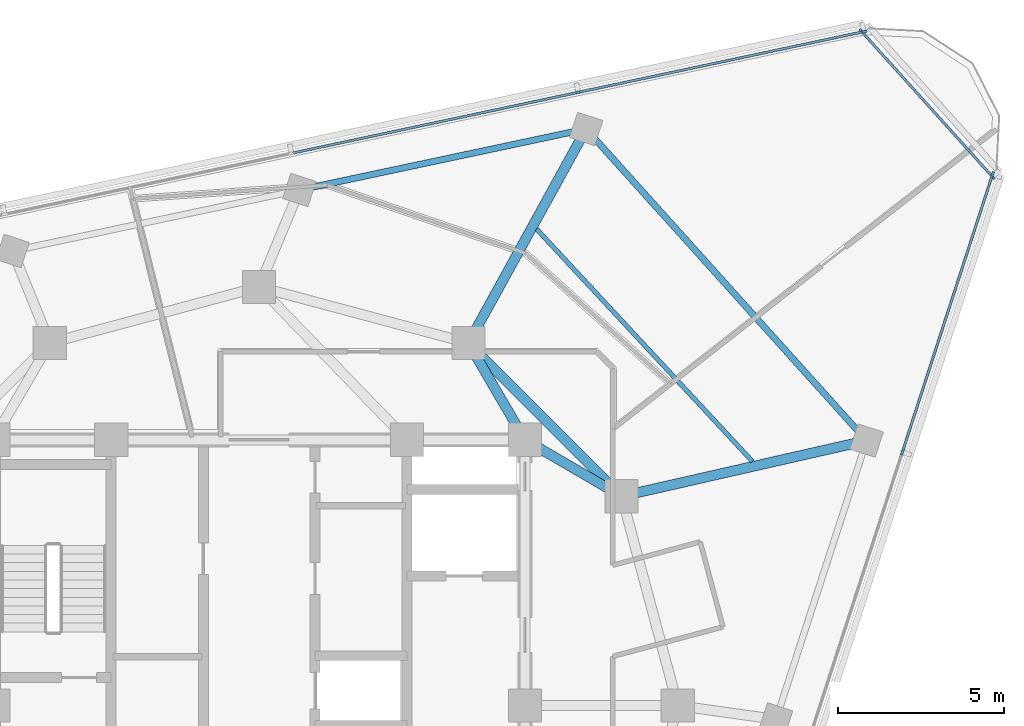
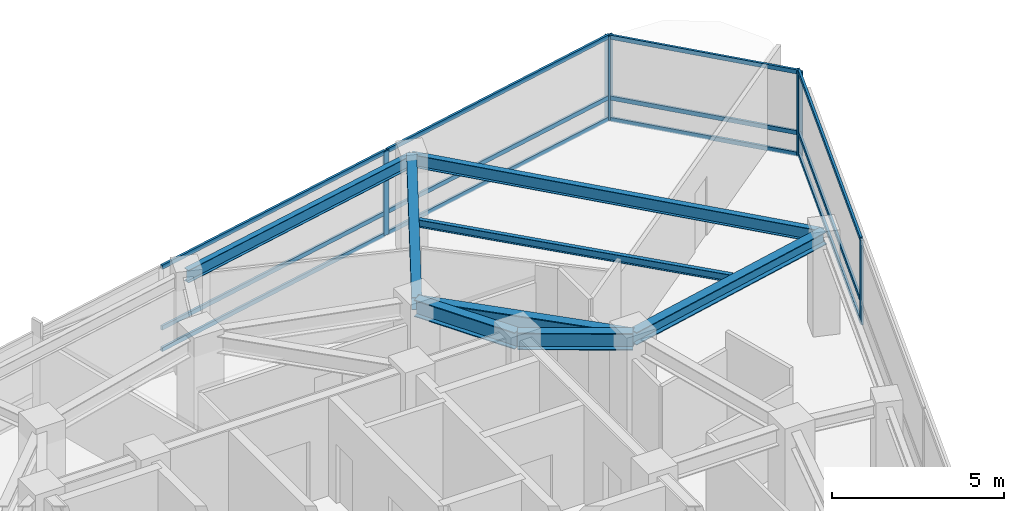
# One storey, part 6 of 15: 18 members, 8 beams, 3 elements without a shape of their own.
"""IFC4 building model written with IfcOpenShell, lengths in metres."""

from ifc_helpers import new_model, si_unit, direction, frame, origin, origin_2d, place, context, subcontext, project, spatial, rectangle, i_section, extrude, material, layer, layer_set, material_profile, profile_set, type_object, element, aggregate, save


model = new_model("IFC4")

# Units and contexts
model_context = context("Model", 3, precision=1e-05, world=origin(), true_north=direction((0.0, 1.0)))
body_context = subcontext(model_context, "Body", "Model", "MODEL_VIEW")
ifc_project = project(units=[si_unit("LENGTHUNIT", "METRE"), si_unit("AREAUNIT", "SQUARE_METRE"), si_unit("VOLUMEUNIT", "CUBIC_METRE"), si_unit("PLANEANGLEUNIT", "RADIAN"), si_unit("MASSUNIT", "GRAM", prefix="KILO")], contexts=[model_context])

# Site, building, storey
site_placement = place(None, origin())
site = spatial("IfcSite", under=ifc_project, at=site_placement, CompositionType="ELEMENT")
building_placement = place(site_placement, origin())
building = spatial("IfcBuilding", under=site, at=building_placement, Name="Terralouvre Media Tower", CompositionType="ELEMENT")
storey_placement = place(building_placement, frame((0.0, 0.0, 286.89990234375)))
storey = spatial("IfcBuildingStorey", under=building, at=storey_placement, Name="L74", CompositionType="ELEMENT", Elevation=286.89990234375)

# Beam
ifc_material_1 = material(Name="Structural steel S355J2", Category="steel")
ifc_material_profile_1 = material_profile(ifc_material_1, i_section(OverallWidth=0.135009765625, OverallDepth=0.27001953125, WebThickness=0.006591796875, FlangeThickness=0.01025390625, at=origin_2d()), Name="IPE 270")
ifc_profile_set_1 = profile_set([ifc_material_profile_1], Name="Structural steel S355J2")
beam_type_1 = type_object("IfcBeamType", Name="Composite Floor Joist J-IPE270 (IPE 270)", PredefinedType="JOIST", material=ifc_profile_set_1)
beam_1_placement = place(storey_placement, frame((14.85107421875, 7.34716796875, 3.364990234375), z_axis=(-0.680613949102, 0.732642240311, 0.0), x_axis=(-0.732642240311, -0.680613949102, 0.0)))
element("IfcBeam", 1, at=beam_1_placement, inside=storey, type_object=beam_type_1, Name="L74 Framing Beam JT-L74-04", PredefinedType="JOIST", context=body_context, shape_type="SweptSolid", body=[
    extrude(i_section(OverallWidth=0.135009765625, OverallDepth=0.27001953125, WebThickness=0.006591796875, FlangeThickness=0.01025390625, at=origin_2d()), origin(), (0.0, 0.0, 1.0), 9.54443359375),
])

# Curtain wall, members
ifc_material_2 = material(Name="Low-iron laminated double glazing with solar-control coating", Category="glass")
ifc_layer_1 = layer(ifc_material_2, 0.1650390625, Name="Faceted Glass-Point Crown Curtain Wall CW-06")
ifc_layer_set_1 = layer_set([ifc_layer_1], Name="Low-iron laminated double glazing with solar-control coating")
curtain_wall_type_1 = type_object("IfcCurtainWallType", Name="Faceted Glass-Point Crown Curtain Wall CW-06", PredefinedType="NOTDEFINED", material=ifc_layer_set_1)
curtain_wall_1_placement = place(storey_placement, origin())
curtain_wall_1 = element("IfcCurtainWall", 2, at=curtain_wall_1_placement, inside=storey, type_object=curtain_wall_type_1, Name="L74 Facade Curtain Wall F0", PredefinedType="NOTDEFINED")
ifc_material_3 = material(Name="Anodised extruded aluminium 6063-T6", Category="aluminium")
ifc_material_profile_2 = material_profile(ifc_material_3, rectangle(XDim=0.074951171875, YDim=0.14990234375, at=origin_2d()), Name="ALU 75x150")
ifc_profile_set_2 = profile_set([ifc_material_profile_2], Name="Anodised extruded aluminium 6063-T6")
member_type_1 = type_object("IfcMemberType", Name="Curtain-Wall Horizontal Transom TR-150", PredefinedType="USERDEFINED", material=ifc_profile_set_2)
member_1_placement = place(storey_placement, frame((19.372314453125, 7.662109375, 0.03759765625), z_axis=(0.309004958377, 0.951060426944, 0.0), x_axis=(-0.951060426944, 0.309004958377, 0.0)))
member_1 = element("IfcMember", 3, at=member_1_placement, type_object=member_type_1, Name="CW-06 transom 5.1", ObjectType="TRANSOM", PredefinedType="USERDEFINED", context=body_context, shape_type="SweptSolid", body=[
    extrude(rectangle(XDim=0.074951171875, YDim=0.14990234375, at=origin_2d()), origin(), (0.0, 0.0, 1.0), 8.71142578125),
])
member_2_placement = place(storey_placement, frame((19.372314453125, 7.662109375, 0.800048828125), z_axis=(0.309004958377, 0.951060426944, 0.0), x_axis=(-0.951060426944, 0.309004958377, 0.0)))
member_2 = element("IfcMember", 4, at=member_2_placement, type_object=member_type_1, Name="CW-06 transom 5.2", ObjectType="TRANSOM", PredefinedType="USERDEFINED", context=body_context, shape_type="SweptSolid", body=[
    extrude(rectangle(XDim=0.074951171875, YDim=0.14990234375, at=origin_2d()), origin(), (0.0, 0.0, 1.0), 8.71142578125),
])
member_3_placement = place(storey_placement, frame((19.372314453125, 7.662109375, 2.962646484375), z_axis=(0.309004958377, 0.951060426944, 0.0), x_axis=(-0.951060426944, 0.309004958377, 0.0)))
member_3 = element("IfcMember", 5, at=member_3_placement, type_object=member_type_1, Name="CW-06 transom 5.3", ObjectType="TRANSOM", PredefinedType="USERDEFINED", context=body_context, shape_type="SweptSolid", body=[
    extrude(rectangle(XDim=0.074951171875, YDim=0.14990234375, at=origin_2d()), origin(), (0.0, 0.0, 1.0), 8.71142578125),
])

curtain_wall_2_placement = place(storey_placement, origin())
curtain_wall_2 = element("IfcCurtainWall", 6, at=curtain_wall_2_placement, inside=storey, type_object=curtain_wall_type_1, Name="L74 Facade Curtain Wall F1", PredefinedType="NOTDEFINED")
member_4_placement = place(storey_placement, frame((18.166259765625, 20.2763671875, 0.03759765625), z_axis=(-0.978146812348, -0.207915399846, 0.0), x_axis=(0.207915399846, -0.978146812348, 0.0)))
member_4 = element("IfcMember", 7, at=member_4_placement, type_object=member_type_1, Name="CW-06 transom 1.1", ObjectType="TRANSOM", PredefinedType="USERDEFINED", context=body_context, shape_type="SweptSolid", body=[
    extrude(rectangle(XDim=0.074951171875, YDim=0.14990234375, at=origin_2d()), origin(), (0.0, 0.0, 1.0), 8.711669921875),
])
member_5_placement = place(storey_placement, frame((18.166259765625, 20.2763671875, 0.800048828125), z_axis=(-0.978146812348, -0.207915399846, 0.0), x_axis=(0.207915399846, -0.978146812348, 0.0)))
member_5 = element("IfcMember", 8, at=member_5_placement, type_object=member_type_1, Name="CW-06 transom 1.2", ObjectType="TRANSOM", PredefinedType="USERDEFINED", context=body_context, shape_type="SweptSolid", body=[
    extrude(rectangle(XDim=0.074951171875, YDim=0.14990234375, at=origin_2d()), origin(), (0.0, 0.0, 1.0), 8.711669921875),
])
member_6_placement = place(storey_placement, frame((18.166259765625, 20.2763671875, 2.962646484375), z_axis=(-0.978146812348, -0.207915399846, 0.0), x_axis=(0.207915399846, -0.978146812348, 0.0)))
member_6 = element("IfcMember", 9, at=member_6_placement, type_object=member_type_1, Name="CW-06 transom 1.3", ObjectType="TRANSOM", PredefinedType="USERDEFINED", context=body_context, shape_type="SweptSolid", body=[
    extrude(rectangle(XDim=0.074951171875, YDim=0.14990234375, at=origin_2d()), origin(), (0.0, 0.0, 1.0), 8.711669921875),
])
member_7_placement = place(storey_placement, frame((9.57177734375, 18.44970703125, 0.03759765625), z_axis=(-0.978146154485, -0.207918494767, 0.0), x_axis=(0.207918494767, -0.978146154485, 0.0)))
member_7 = element("IfcMember", 10, at=member_7_placement, type_object=member_type_1, Name="CW-06 transom 2.1", ObjectType="TRANSOM", PredefinedType="USERDEFINED", context=body_context, shape_type="SweptSolid", body=[
    extrude(rectangle(XDim=0.074951171875, YDim=0.14990234375, at=origin_2d()), origin(), (0.0, 0.0, 1.0), 8.7490234375),
])
member_8_placement = place(storey_placement, frame((9.57177734375, 18.44970703125, 0.800048828125), z_axis=(-0.978146154485, -0.207918494767, 0.0), x_axis=(0.207918494767, -0.978146154485, 0.0)))
member_8 = element("IfcMember", 11, at=member_8_placement, type_object=member_type_1, Name="CW-06 transom 2.2", ObjectType="TRANSOM", PredefinedType="USERDEFINED", context=body_context, shape_type="SweptSolid", body=[
    extrude(rectangle(XDim=0.074951171875, YDim=0.14990234375, at=origin_2d()), origin(), (0.0, 0.0, 1.0), 8.7490234375),
])
member_9_placement = place(storey_placement, frame((9.57177734375, 18.44970703125, 2.962646484375), z_axis=(-0.978146154485, -0.207918494767, 0.0), x_axis=(0.207918494767, -0.978146154485, 0.0)))
member_9 = element("IfcMember", 12, at=member_9_placement, type_object=member_type_1, Name="CW-06 transom 2.3", ObjectType="TRANSOM", PredefinedType="USERDEFINED", context=body_context, shape_type="SweptSolid", body=[
    extrude(rectangle(XDim=0.074951171875, YDim=0.14990234375, at=origin_2d()), origin(), (0.0, 0.0, 1.0), 8.7490234375),
])

ifc_material_4 = material(Name="Low-iron laminated double glazing with solar-control coating", Category="glass")
ifc_layer_2 = layer(ifc_material_4, 0.1650390625, Name="Rounded Wind-Corner Curved Glazing CW-04")
ifc_layer_set_2 = layer_set([ifc_layer_2], Name="Low-iron laminated double glazing with solar-control coating")
curtain_wall_type_2 = type_object("IfcCurtainWallType", Name="Rounded Wind-Corner Curved Glazing CW-04", PredefinedType="NOTDEFINED", material=ifc_layer_set_2)
curtain_wall_3_placement = place(storey_placement, origin())
curtain_wall_3 = element("IfcCurtainWall", 13, at=curtain_wall_3_placement, inside=storey, type_object=curtain_wall_type_2, Name="L74 Rounded Wind-Corner Curtain Wall C1", PredefinedType="NOTDEFINED")
member_10_placement = place(storey_placement, frame((22.04736328125, 15.943603515625, 0.03759765625), z_axis=(-0.669127275147, 0.743147824901, 0.0), x_axis=(-0.743147824901, -0.669127275147, 0.0)))
member_10 = element("IfcMember", 14, at=member_10_placement, type_object=member_type_1, Name="CW-04 transom 1.1", ObjectType="TRANSOM", PredefinedType="USERDEFINED", context=body_context, shape_type="SweptSolid", body=[
    extrude(rectangle(XDim=0.074951171875, YDim=0.14990234375, at=origin_2d()), origin(), (0.0, 0.0, 1.0), 5.808349609375),
])
member_11_placement = place(storey_placement, frame((22.04736328125, 15.943603515625, 0.800048828125), z_axis=(-0.669127275147, 0.743147824901, 0.0), x_axis=(-0.743147824901, -0.669127275147, 0.0)))
member_11 = element("IfcMember", 15, at=member_11_placement, type_object=member_type_1, Name="CW-04 transom 1.2", ObjectType="TRANSOM", PredefinedType="USERDEFINED", context=body_context, shape_type="SweptSolid", body=[
    extrude(rectangle(XDim=0.074951171875, YDim=0.14990234375, at=origin_2d()), origin(), (0.0, 0.0, 1.0), 5.808349609375),
])
member_12_placement = place(storey_placement, frame((22.04736328125, 15.943603515625, 2.962646484375), z_axis=(-0.669127275147, 0.743147824901, 0.0), x_axis=(-0.743147824901, -0.669127275147, 0.0)))
member_12 = element("IfcMember", 16, at=member_12_placement, type_object=member_type_1, Name="CW-04 transom 1.3", ObjectType="TRANSOM", PredefinedType="USERDEFINED", context=body_context, shape_type="SweptSolid", body=[
    extrude(rectangle(XDim=0.074951171875, YDim=0.14990234375, at=origin_2d()), origin(), (0.0, 0.0, 1.0), 5.808349609375),
])

# Member
ifc_material_5 = material(Name="Anodised extruded aluminium 6063-T6", Category="aluminium")
ifc_material_profile_3 = material_profile(ifc_material_5, rectangle(XDim=0.074951171875, YDim=0.179931640625, at=origin_2d()), Name="ALU 75x180")
ifc_profile_set_3 = profile_set([ifc_material_profile_3], Name="Anodised extruded aluminium 6063-T6")
member_type_2 = type_object("IfcMemberType", Name="Curtain-Wall Vertical Mullion ML-180", PredefinedType="MULLION", material=ifc_profile_set_3)
member_13_placement = place(storey_placement, frame((19.360595703125, 7.62646484375, 0.0), z_axis=(0.0, 0.0, 1.0), x_axis=(-0.951056507337, 0.309017021946, 0.0)))
member_13 = element("IfcMember", 17, at=member_13_placement, type_object=member_type_2, Name="CW-06 mullion 5", PredefinedType="MULLION", context=body_context, shape_type="SweptSolid", body=[
    extrude(rectangle(XDim=0.074951171875, YDim=0.179931640625, at=origin_2d()), origin(), (0.0, 0.0, 1.0), 3.0),
])

member_14_placement = place(storey_placement, frame((22.075927734375, 15.98291015625, 0.0), z_axis=(0.0, 0.0, 1.0), x_axis=(-0.951056507337, 0.309017021946, 0.0)))
member_14 = element("IfcMember", 18, at=member_14_placement, type_object=member_type_2, Name="CW-06 mullion 6", PredefinedType="MULLION", context=body_context, shape_type="SweptSolid", body=[
    extrude(rectangle(XDim=0.074951171875, YDim=0.179931640625, at=origin_2d()), origin(), (0.0, 0.0, 1.0), 3.0),
])

aggregate(curtain_wall_1, [member_13, member_14, member_1, member_2, member_3])

member_15_placement = place(storey_placement, frame((18.202880859375, 20.2841796875, 0.0), z_axis=(0.0, 0.0, 1.0), x_axis=(0.207911618313, -0.978147616145, 0.0)))
member_15 = element("IfcMember", 19, at=member_15_placement, type_object=member_type_2, Name="CW-06 mullion 1", PredefinedType="MULLION", context=body_context, shape_type="SweptSolid", body=[
    extrude(rectangle(XDim=0.074951171875, YDim=0.179931640625, at=origin_2d()), origin(), (0.0, 0.0, 1.0), 3.0),
])

member_16_placement = place(storey_placement, frame((9.6083984375, 18.45751953125, 0.0), z_axis=(0.0, 0.0, 1.0), x_axis=(0.207911618313, -0.978147616145, 0.0)))
member_16 = element("IfcMember", 20, at=member_16_placement, type_object=member_type_2, Name="CW-06 mullion 2", PredefinedType="MULLION", context=body_context, shape_type="SweptSolid", body=[
    extrude(rectangle(XDim=0.074951171875, YDim=0.179931640625, at=origin_2d()), origin(), (0.0, 0.0, 1.0), 3.0),
])

aggregate(curtain_wall_2, [member_15, member_16, member_4, member_5, member_6, member_7, member_8, member_9])

member_17_placement = place(storey_placement, frame((22.072509765625, 15.915771484375, 0.0), z_axis=(0.0, 0.0, 1.0), x_axis=(-0.743145163279, -0.669130231192, 0.0)))
member_17 = element("IfcMember", 21, at=member_17_placement, type_object=member_type_2, Name="CW-04 mullion 1", PredefinedType="MULLION", context=body_context, shape_type="SweptSolid", body=[
    extrude(rectangle(XDim=0.074951171875, YDim=0.179931640625, at=origin_2d()), origin(), (0.0, 0.0, 1.0), 3.0),
])

member_18_placement = place(storey_placement, frame((18.1357421875, 20.287841796875, 0.0), z_axis=(0.0, 0.0, 1.0), x_axis=(-0.743145163279, -0.669130231192, 0.0)))
member_18 = element("IfcMember", 22, at=member_18_placement, type_object=member_type_2, Name="CW-04 mullion 2", PredefinedType="MULLION", context=body_context, shape_type="SweptSolid", body=[
    extrude(rectangle(XDim=0.074951171875, YDim=0.179931640625, at=origin_2d()), origin(), (0.0, 0.0, 1.0), 3.0),
])

aggregate(curtain_wall_3, [member_17, member_18, member_10, member_11, member_12])

# Beams
ifc_material_6 = material(Name="Structural steel S355J2", Category="steel")
ifc_material_profile_4 = material_profile(ifc_material_6, i_section(OverallWidth=0.18994140625, OverallDepth=0.449951171875, WebThickness=0.009521484375, FlangeThickness=0.0146484375, at=origin_2d()), Name="IPE 450")
ifc_profile_set_4 = profile_set([ifc_material_profile_4], Name="Structural steel S355J2")
beam_type_2 = type_object("IfcBeamType", Name="Perimeter Spandrel Beam SPB-450 (IPE 450)", PredefinedType="SPANDREL", material=ifc_profile_set_4)
beam_2_placement = place(storey_placement, frame((18.285888671875, 7.975830078125, 3.275146484375), z_axis=(-0.669130421256, 0.743144992144, 0.0), x_axis=(-0.743144992144, -0.669130421256, 0.0)))
element("IfcBeam", 23, at=beam_2_placement, inside=storey, type_object=beam_type_2, Name="L74 Framing Beam BM-L74-PR08", PredefinedType="SPANDREL", context=body_context, shape_type="SweptSolid", body=[
    extrude(i_section(OverallWidth=0.18994140625, OverallDepth=0.449951171875, WebThickness=0.009521484375, FlangeThickness=0.0146484375, at=origin_2d()), origin(), (0.0, 0.0, 1.0), 12.616943359375),
])
beam_3_placement = place(storey_placement, frame((9.843505859375, 17.35205078125, 3.26513671875), z_axis=(-0.978151678083, -0.207892507471, 0.0), x_axis=(0.207892507471, -0.978151678083, 0.0)))
element("IfcBeam", 24, at=beam_3_placement, inside=storey, type_object=beam_type_2, Name="L74 Framing Beam BM-L74-PR09", PredefinedType="SPANDREL", context=body_context, shape_type="SweptSolid", body=[
    extrude(i_section(OverallWidth=0.18994140625, OverallDepth=0.449951171875, WebThickness=0.009521484375, FlangeThickness=0.0146484375, at=origin_2d()), origin(), (0.0, 0.0, 1.0), 8.82421875),
])
ifc_material_7 = material(Name="Structural steel S355J2", Category="steel")
ifc_material_profile_5 = material_profile(ifc_material_7, i_section(OverallWidth=0.300048828125, OverallDepth=0.449951171875, WebThickness=0.013916015625, FlangeThickness=0.02587890625, at=origin_2d()), Name="HEB 450")
ifc_profile_set_5 = profile_set([ifc_material_profile_5], Name="Structural steel S355J2")
beam_type_3 = type_object("IfcBeamType", Name="Primary Floor Girder B-HEB450 (HEB 450)", PredefinedType="BEAM", material=ifc_profile_set_5)
beam_4_placement = place(storey_placement, frame((10.911865234375, 6.300048828125, 3.275146484375), z_axis=(0.975136661347, 0.221604358479, 0.0), x_axis=(-0.221604358479, 0.975136661347, 0.0)))
element("IfcBeam", 25, at=beam_4_placement, inside=storey, type_object=beam_type_3, Name="L74 Framing Beam BM-L74-RD08", PredefinedType="BEAM", context=body_context, shape_type="SweptSolid", body=[
    extrude(i_section(OverallWidth=0.300048828125, OverallDepth=0.449951171875, WebThickness=0.013916015625, FlangeThickness=0.02587890625, at=origin_2d()), origin(), (0.0, 0.0, 1.0), 7.56201171875),
])
beam_5_placement = place(storey_placement, frame((6.300048828125, 10.911865234375, 3.275146484375), z_axis=(0.482060267282, 0.876138059159, 0.0), x_axis=(-0.876138059159, 0.482060267282, 0.0)))
element("IfcBeam", 26, at=beam_5_placement, inside=storey, type_object=beam_type_3, Name="L74 Framing Beam BM-L74-RD09", PredefinedType="BEAM", context=body_context, shape_type="SweptSolid", body=[
    extrude(i_section(OverallWidth=0.300048828125, OverallDepth=0.449951171875, WebThickness=0.013916015625, FlangeThickness=0.02587890625, at=origin_2d()), origin(), (0.0, 0.0, 1.0), 7.3505859375),
])
ifc_material_8 = material(Name="Structural steel S460M", Category="steel")
ifc_material_profile_6 = material_profile(ifc_material_8, i_section(OverallWidth=0.300048828125, OverallDepth=0.60009765625, WebThickness=0.015380859375, FlangeThickness=0.030029296875, at=origin_2d()), Name="HEB 600")
ifc_profile_set_6 = profile_set([ifc_material_profile_6], Name="Structural steel S460M")
beam_type_4 = type_object("IfcBeamType", Name="Primary Floor Girder B-HEB600 (HEB 600)", PredefinedType="BEAM", material=ifc_profile_set_6)
beam_6_placement = place(storey_placement, frame((10.911865234375, 6.300048828125, 3.2001953125), z_axis=(-0.707106781187, 0.707106781187, 0.0), x_axis=(-0.707106781187, -0.707106781187, 0.0)))
element("IfcBeam", 27, at=beam_6_placement, inside=storey, type_object=beam_type_4, Name="L74 Framing Beam BM-L74-MR07", PredefinedType="BEAM", context=body_context, shape_type="SweptSolid", body=[
    extrude(i_section(OverallWidth=0.300048828125, OverallDepth=0.60009765625, WebThickness=0.015380859375, FlangeThickness=0.030029296875, at=origin_2d()), origin(), (0.0, 0.0, 1.0), 6.52197265625),
])
for number, where, z_axis, x_axis, name in (
    (28, (8.0, 8.0, 3.2001953125), (0.863602894532, -0.504172629717, 0.0), (0.504172629717, 0.863602894532, 0.0), "L74 Framing Beam BM-L74-CM07"),
    (29, (8.0, 8.0, 3.2001953125), (-0.504172629717, 0.863602894532, 0.0), (-0.863602894532, -0.504172629717, 0.0), "L74 Framing Beam BM-L74-CM08"),
):
    element("IfcBeam", number, at=place(storey_placement, frame(where, z_axis=z_axis, x_axis=x_axis)), inside=storey, type_object=beam_type_4, Name=name, PredefinedType="BEAM", context=body_context, shape_type="SweptSolid", body=[
        extrude(i_section(OverallWidth=0.300048828125, OverallDepth=0.60009765625, WebThickness=0.015380859375, FlangeThickness=0.030029296875, at=origin_2d()), origin(), (0.0, 0.0, 1.0), 3.371826171875),
    ])

save(model, "model.ifc")
